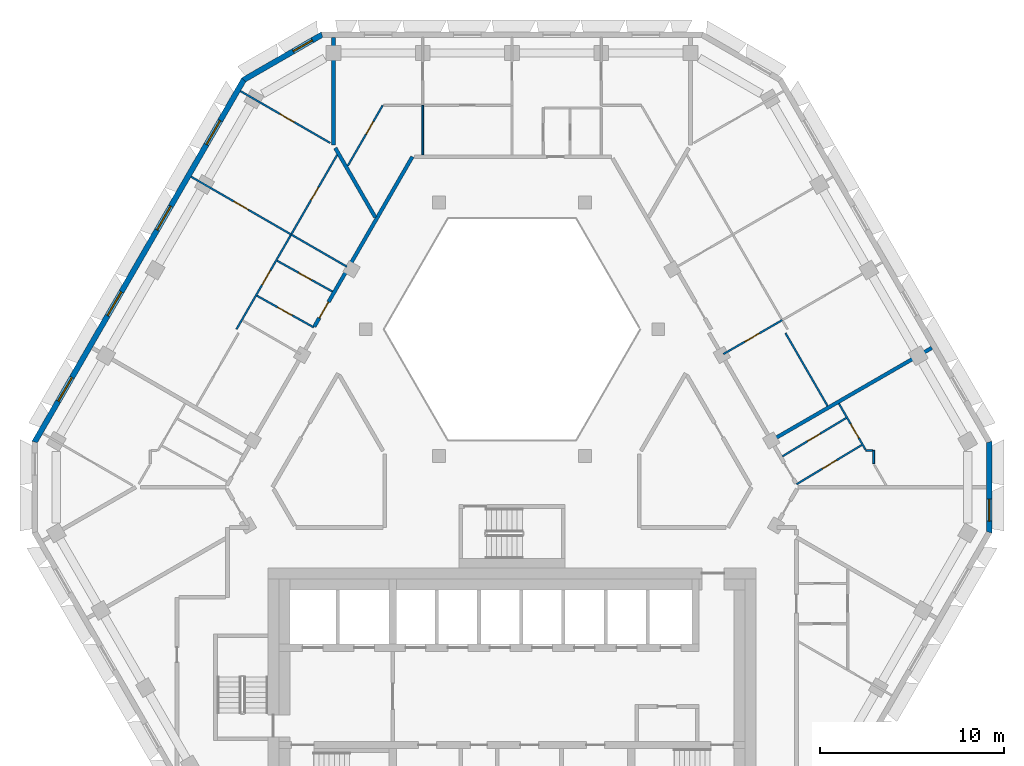
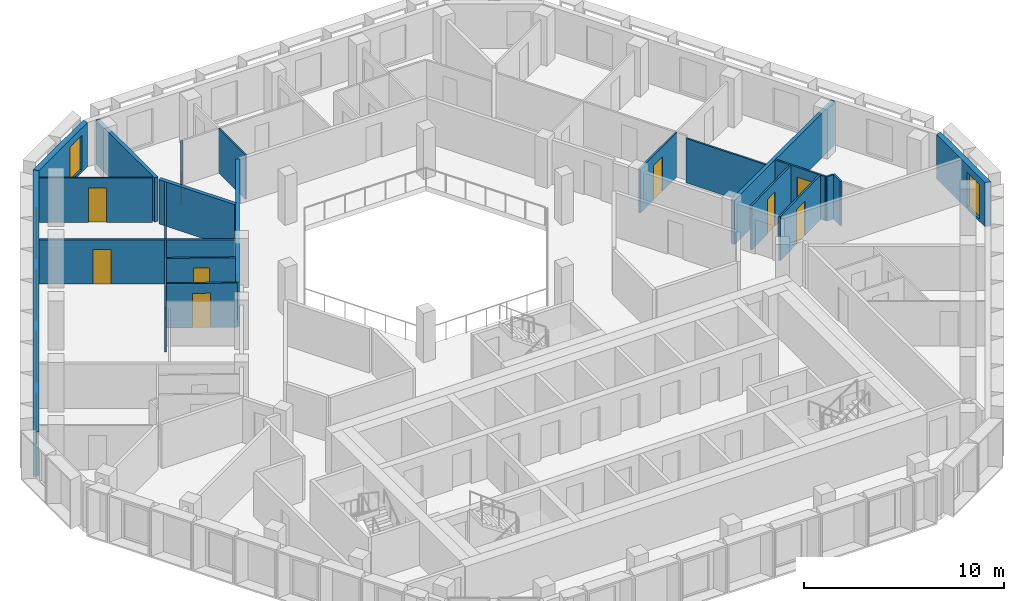
# One storey, part 6 of 15: 22 walls, 12 doors, 6 windows, 18 openings.
"""IFC4 building model written with IfcOpenShell, lengths in metres."""

from ifc_helpers import new_model, si_unit, direction, frame, frame_2d, origin, place, context, subcontext, project, spatial, polyline, rectangle, outline, extrude, material, layer, layer_set, type_object, element, fill, save


model = new_model("IFC4")

# Units and contexts
model_context = context("Model", 3, precision=1e-05, world=origin(), true_north=direction((0.0, 1.0)))
body_context = subcontext(model_context, "Body", "Model", "MODEL_VIEW")
ifc_project = project(units=[si_unit("LENGTHUNIT", "METRE"), si_unit("AREAUNIT", "SQUARE_METRE"), si_unit("VOLUMEUNIT", "CUBIC_METRE"), si_unit("PLANEANGLEUNIT", "RADIAN"), si_unit("MASSUNIT", "GRAM", prefix="KILO")], contexts=[model_context])

# Site, building, storey
site_placement = place(None, origin())
site = spatial("IfcSite", under=ifc_project, at=site_placement, CompositionType="ELEMENT")
building_placement = place(site_placement, origin())
building = spatial("IfcBuilding", under=site, at=building_placement, Name="Beryl Residences", CompositionType="ELEMENT")
storey_placement = place(building_placement, frame((0.0, 0.0, 193.199951171875)))
storey = spatial("IfcBuildingStorey", under=building, at=storey_placement, Name="L59", CompositionType="ELEMENT", Elevation=193.199951171875)

# Wall, opening, window
ifc_material_1 = material(Name="Composite metal panel with mineral wool insulation")
ifc_layer_1 = layer(ifc_material_1, 0.300048828125)
ifc_layer_set_1 = layer_set([ifc_layer_1], Name="ES1 pale metal composite panel wall 300 mm")
wall_type_1 = type_object("IfcWallType", Name="ES1 pale metal composite panel wall 300 mm", PredefinedType="SOLIDWALL", material=ifc_layer_set_1)
wall_1_placement = place(storey_placement, frame((-10.31689453125, 24.070068359375, 0.0), z_axis=(0.0, 0.0, 1.0), x_axis=(-0.866022959057, -0.500004234368, 0.0)))
wall_1 = element("IfcWall", 1, at=wall_1_placement, inside=storey, type_object=wall_type_1, Name="ES1 external wall L59 N-NW", PredefinedType="SOLIDWALL", context=body_context, shape_type="SweptSolid", body=[
    extrude(outline(polyline([(0.0, -0.14990234375), (5.0, -0.14990234375), (4.919677734375, 0.14990234375), (0.080322265625, 0.14990234375), (0.0, -0.14990234375)])), origin(), (0.0, 0.0, 1.0), 2.699951171875),
])
opening_1_placement = place(wall_1_placement, frame((0.64990234375, 0.0, 0.14990234375)))
opening_1 = element("IfcOpeningElement", 2, at=opening_1_placement, cuts=wall_1, Name="Opening W2", PredefinedType="OPENING", context=body_context, shape_type="SweptSolid", body=[
    extrude(rectangle(XDim=1.199951171875, YDim=2.10009765625, at=frame_2d((0.60009765625, 1.050048828125))), frame((0.0, 0.159912109375, 0.0), z_axis=(0.0, -1.0, 0.0), x_axis=(1.0, 0.0, 0.0)), (0.0, 0.0, 1.0), 0.320068359375),
])
ifc_material_2 = material(Name="Aluminium and clear glass", Category="aluminium")
window_type_1 = type_object("IfcWindowType", Name="W2 chamfer window 1200 x 2100 mm", PartitioningType="SINGLE_PANEL", PredefinedType="WINDOW", material=ifc_material_2)
window_1_placement = place(opening_1_placement, origin())
window_1 = element("IfcWindow", 3, at=window_1_placement, inside=storey, type_object=window_type_1, Name="W2 window L59 N-NW 1", OverallHeight=2.10009765625, OverallWidth=1.199951171875, PartitioningType="SINGLE_PANEL", PredefinedType="WINDOW", context=body_context, shape_type="SweptSolid", body=[
    extrude(rectangle(XDim=1.199951171875, YDim=2.10009765625, at=frame_2d((0.60009765625, 1.050048828125))), frame((0.0, 0.030029296875, 0.0), z_axis=(0.0, -1.0, 0.0), x_axis=(1.0, 0.0, 0.0)), (0.0, 0.0, 1.0), 0.06005859375),
])
fill(opening_1, window_1)

# Wall, openings, windows
wall_2_placement = place(storey_placement, frame((-14.592041015625, 21.625, 0.0), z_axis=(0.0, 0.0, 1.0), x_axis=(-0.500010537973, -0.866019319597, 0.0)))
wall_2 = element("IfcWall", 4, at=wall_2_placement, inside=storey, type_object=wall_type_1, Name="ES1 external wall L59 NW", PredefinedType="SOLIDWALL", context=body_context, shape_type="SweptSolid", body=[
    extrude(outline(polyline([(0.0, -0.14990234375), (22.86328125, -0.14990234375), (22.782958984375, 0.14990234375), (0.080322265625, 0.14990234375), (0.0, -0.14990234375)])), origin(), (0.0, 0.0, 1.0), 2.699951171875),
])
opening_2_placement = place(wall_2_placement, frame((2.60595703125, 0.0, 0.14990234375)))
opening_2 = element("IfcOpeningElement", 5, at=opening_2_placement, cuts=wall_2, Name="Opening W1", PredefinedType="OPENING", context=body_context, shape_type="SweptSolid", body=[
    extrude(rectangle(XDim=1.5, YDim=2.10009765625, at=frame_2d((0.75, 1.050048828125))), frame((0.0, 0.159912109375, 0.0), z_axis=(0.0, -1.0, 0.0), x_axis=(1.0, 0.0, 0.0)), (0.0, 0.0, 1.0), 0.320068359375),
])
opening_3_placement = place(wall_2_placement, frame((7.989990234375, 0.0, 0.14990234375)))
opening_3 = element("IfcOpeningElement", 6, at=opening_3_placement, cuts=wall_2, Name="Opening W1", PredefinedType="OPENING", context=body_context, shape_type="SweptSolid", body=[
    extrude(rectangle(XDim=1.5, YDim=2.10009765625, at=frame_2d((0.75, 1.050048828125))), frame((0.0, 0.159912109375, 0.0), z_axis=(0.0, -1.0, 0.0), x_axis=(1.0, 0.0, 0.0)), (0.0, 0.0, 1.0), 0.320068359375),
])
opening_4_placement = place(wall_2_placement, frame((13.373046875, 0.0, 0.14990234375)))
opening_4 = element("IfcOpeningElement", 7, at=opening_4_placement, cuts=wall_2, Name="Opening W1", PredefinedType="OPENING", context=body_context, shape_type="SweptSolid", body=[
    extrude(rectangle(XDim=1.5, YDim=2.10009765625, at=frame_2d((0.75, 1.050048828125))), frame((0.0, 0.159912109375, 0.0), z_axis=(0.0, -1.0, 0.0), x_axis=(1.0, 0.0, 0.0)), (0.0, 0.0, 1.0), 0.320068359375),
])
opening_5_placement = place(wall_2_placement, frame((18.758056640625, 0.0, 0.14990234375)))
opening_5 = element("IfcOpeningElement", 8, at=opening_5_placement, cuts=wall_2, Name="Opening W1", PredefinedType="OPENING", context=body_context, shape_type="SweptSolid", body=[
    extrude(rectangle(XDim=1.5, YDim=2.10009765625, at=frame_2d((0.75, 1.050048828125))), frame((0.0, 0.159912109375, 0.0), z_axis=(0.0, -1.0, 0.0), x_axis=(1.0, 0.0, 0.0)), (0.0, 0.0, 1.0), 0.320068359375),
])
ifc_material_3 = material(Name="Aluminium and clear glass", Category="aluminium")
window_type_2 = type_object("IfcWindowType", Name="W1 cell window 1500 x 2100 mm", PartitioningType="SINGLE_PANEL", PredefinedType="WINDOW", material=ifc_material_3)
window_2_placement = place(opening_2_placement, origin())
window_2 = element("IfcWindow", 9, at=window_2_placement, inside=storey, type_object=window_type_2, Name="W1 window L59 NW 2", OverallHeight=2.10009765625, OverallWidth=1.5, PartitioningType="SINGLE_PANEL", PredefinedType="WINDOW", context=body_context, shape_type="SweptSolid", body=[
    extrude(rectangle(XDim=1.5, YDim=2.10009765625, at=frame_2d((0.75, 1.050048828125))), frame((0.0, 0.030029296875, 0.0), z_axis=(0.0, -1.0, 0.0), x_axis=(1.0, 0.0, 0.0)), (0.0, 0.0, 1.0), 0.06005859375),
])
fill(opening_2, window_2)
window_3_placement = place(opening_3_placement, origin())
window_3 = element("IfcWindow", 10, at=window_3_placement, inside=storey, type_object=window_type_2, Name="W1 window L59 NW 4", OverallHeight=2.10009765625, OverallWidth=1.5, PartitioningType="SINGLE_PANEL", PredefinedType="WINDOW", context=body_context, shape_type="SweptSolid", body=[
    extrude(rectangle(XDim=1.5, YDim=2.10009765625, at=frame_2d((0.75, 1.050048828125))), frame((0.0, 0.030029296875, 0.0), z_axis=(0.0, -1.0, 0.0), x_axis=(1.0, 0.0, 0.0)), (0.0, 0.0, 1.0), 0.06005859375),
])
fill(opening_3, window_3)
window_4_placement = place(opening_4_placement, origin())
window_4 = element("IfcWindow", 11, at=window_4_placement, inside=storey, type_object=window_type_2, Name="W1 window L59 NW 6", OverallHeight=2.10009765625, OverallWidth=1.5, PartitioningType="SINGLE_PANEL", PredefinedType="WINDOW", context=body_context, shape_type="SweptSolid", body=[
    extrude(rectangle(XDim=1.5, YDim=2.10009765625, at=frame_2d((0.75, 1.050048828125))), frame((0.0, 0.030029296875, 0.0), z_axis=(0.0, -1.0, 0.0), x_axis=(1.0, 0.0, 0.0)), (0.0, 0.0, 1.0), 0.06005859375),
])
fill(opening_4, window_4)
window_5_placement = place(opening_5_placement, origin())
window_5 = element("IfcWindow", 12, at=window_5_placement, inside=storey, type_object=window_type_2, Name="W1 window L59 NW 8", OverallHeight=2.10009765625, OverallWidth=1.5, PartitioningType="SINGLE_PANEL", PredefinedType="WINDOW", context=body_context, shape_type="SweptSolid", body=[
    extrude(rectangle(XDim=1.5, YDim=2.10009765625, at=frame_2d((0.75, 1.050048828125))), frame((0.0, 0.030029296875, 0.0), z_axis=(0.0, -1.0, 0.0), x_axis=(1.0, 0.0, 0.0)), (0.0, 0.0, 1.0), 0.06005859375),
])
fill(opening_5, window_5)

# Wall, opening, window
wall_3_placement = place(storey_placement, frame((26.00390625, -3.10009765625, 0.0), z_axis=(0.0, 0.0, 1.0), x_axis=(0.0, 1.0, 0.0)))
wall_3 = element("IfcWall", 13, at=wall_3_placement, inside=storey, type_object=wall_type_1, Name="ES1 external wall L59 SE-NE", PredefinedType="SOLIDWALL", context=body_context, shape_type="SweptSolid", body=[
    extrude(outline(polyline([(0.0, -0.14990234375), (5.0, -0.14990234375), (4.919677734375, 0.14990234375), (0.080322265625, 0.14990234375), (0.0, -0.14990234375)])), origin(), (0.0, 0.0, 1.0), 2.699951171875),
])
opening_6_placement = place(wall_3_placement, frame((0.64990234375, 0.0, 0.14990234375)))
opening_6 = element("IfcOpeningElement", 14, at=opening_6_placement, cuts=wall_3, Name="Opening W2", PredefinedType="OPENING", context=body_context, shape_type="SweptSolid", body=[
    extrude(rectangle(XDim=1.199951171875, YDim=2.10009765625, at=frame_2d((0.60009765625, 1.050048828125))), frame((0.0, 0.159912109375, 0.0), z_axis=(0.0, -1.0, 0.0), x_axis=(1.0, 0.0, 0.0)), (0.0, 0.0, 1.0), 0.320068359375),
])
window_6_placement = place(opening_6_placement, origin())
window_6 = element("IfcWindow", 15, at=window_6_placement, inside=storey, type_object=window_type_1, Name="W2 window L59 SE-NE 1", OverallHeight=2.10009765625, OverallWidth=1.199951171875, PartitioningType="SINGLE_PANEL", PredefinedType="WINDOW", context=body_context, shape_type="SweptSolid", body=[
    extrude(rectangle(XDim=1.199951171875, YDim=2.10009765625, at=frame_2d((0.60009765625, 1.050048828125))), frame((0.0, 0.030029296875, 0.0), z_axis=(0.0, -1.0, 0.0), x_axis=(1.0, 0.0, 0.0)), (0.0, 0.0, 1.0), 0.06005859375),
])
fill(opening_6, window_6)

# Wall
ifc_material_4 = material(Name="Gypsum board partition on steel studs", Category="steel")
ifc_layer_2 = layer(ifc_material_4, 0.10009765625)
ifc_layer_set_2 = layer_set([ifc_layer_2], Name="PT1 partition 100 mm gypsum board on steel studs")
wall_type_2 = type_object("IfcWallType", Name="PT1 partition 100 mm gypsum board on steel studs", PredefinedType="PARTITIONING", material=ifc_layer_set_2)
wall_4_placement = place(storey_placement, frame((14.89501953125, 7.800048828125, 0.0), z_axis=(0.0, 0.0, 1.0), x_axis=(0.500050787847, -0.865996079421, 0.0)))
element("IfcWall", 16, at=wall_4_placement, inside=storey, type_object=wall_type_2, Name="Wall PT1 L59 002", PredefinedType="PARTITIONING", context=body_context, shape_type="SweptSolid", body=[
    extrude(rectangle(XDim=4.59130859375, YDim=0.10009765625, at=frame_2d((2.295654296875, 0.0))), origin(), (0.0, 0.0, 1.0), 2.699951171875),
])

# Wall, opening, door
wall_5_placement = place(storey_placement, frame((17.81103515625, 3.950927734375, 0.0), z_axis=(0.0, 0.0, 1.0), x_axis=(0.499976149225, -0.866039173598, 0.0)))
wall_5 = element("IfcWall", 17, at=wall_5_placement, inside=storey, type_object=wall_type_2, Name="Wall PT1 L59 004", PredefinedType="PARTITIONING", context=body_context, shape_type="SweptSolid", body=[
    extrude(rectangle(XDim=2.887939453125, YDim=0.10009765625, at=frame_2d((1.44384765625, 0.0))), origin(), (0.0, 0.0, 1.0), 2.699951171875),
])
opening_7_placement = place(wall_5_placement, frame((1.27587890625, 0.0, 0.0)))
opening_7 = element("IfcOpeningElement", 18, at=opening_7_placement, cuts=wall_5, Name="Opening D1741", PredefinedType="OPENING", context=body_context, shape_type="SweptSolid", body=[
    extrude(rectangle(XDim=0.89990234375, YDim=2.10009765625, at=frame_2d((0.449951171875, 1.050048828125))), frame((0.0, 0.06005859375, 0.0), z_axis=(0.0, -1.0, 0.0), x_axis=(1.0, 0.0, 0.0)), (0.0, 0.0, 1.0), 0.1201171875),
])
ifc_material_5 = material(Name="Timber door leaf", Category="wood")
door_type_1 = type_object("IfcDoorType", Name="D2 room door 900 x 2100 mm", OperationType="SINGLE_SWING_LEFT", PredefinedType="DOOR", material=ifc_material_5)
door_1_placement = place(opening_7_placement, origin())
door_1 = element("IfcDoor", 19, at=door_1_placement, inside=storey, type_object=door_type_1, Name="Door D1741 L59 001", OperationType="SINGLE_SWING_LEFT", OverallHeight=2.10009765625, OverallWidth=0.89990234375, PredefinedType="DOOR", context=body_context, shape_type="SweptSolid", body=[
    extrude(rectangle(XDim=0.89990234375, YDim=2.10009765625, at=frame_2d((0.449951171875, 1.050048828125))), frame((0.0, 0.02490234375, 0.0), z_axis=(0.0, -1.0, 0.0), x_axis=(1.0, 0.0, 0.0)), (0.0, 0.0, 1.0), 0.050048828125),
])
fill(opening_7, door_1)

wall_6_placement = place(storey_placement, frame((-12.798095703125, 11.735107421875, 0.0), z_axis=(0.0, 0.0, 1.0), x_axis=(0.873649600774, -0.486555623816, 0.0)))
wall_6 = element("IfcWall", 20, at=wall_6_placement, inside=storey, type_object=wall_type_2, Name="Wall PT1 L59 010", PredefinedType="PARTITIONING", context=body_context, shape_type="SweptSolid", body=[
    extrude(rectangle(XDim=3.451171875, YDim=0.10009765625, at=frame_2d((1.7255859375, 0.0))), origin(), (0.0, 0.0, 1.0), 2.699951171875),
])
opening_8_placement = place(wall_6_placement, frame((1.35009765625, 0.0, 0.0)))
opening_8 = element("IfcOpeningElement", 21, at=opening_8_placement, cuts=wall_6, Name="Opening D1718", PredefinedType="OPENING", context=body_context, shape_type="SweptSolid", body=[
    extrude(rectangle(XDim=0.800048828125, YDim=2.10009765625, at=frame_2d((0.39990234375, 1.050048828125))), frame((0.0, 0.06005859375, 0.0), z_axis=(0.0, -1.0, 0.0), x_axis=(1.0, 0.0, 0.0)), (0.0, 0.0, 1.0), 0.1201171875),
])
ifc_material_6 = material(Name="Timber door leaf", Category="wood")
door_type_2 = type_object("IfcDoorType", Name="D3 bathroom door 800 x 2100 mm", OperationType="SINGLE_SWING_LEFT", PredefinedType="DOOR", material=ifc_material_6)
door_2_placement = place(opening_8_placement, origin())
door_2 = element("IfcDoor", 22, at=door_2_placement, inside=storey, type_object=door_type_2, Name="Door D1718 L59 001", OperationType="SINGLE_SWING_RIGHT", OverallHeight=2.10009765625, OverallWidth=0.800048828125, PredefinedType="DOOR", context=body_context, shape_type="SweptSolid", body=[
    extrude(rectangle(XDim=0.800048828125, YDim=2.10009765625, at=frame_2d((0.39990234375, 1.050048828125))), frame((0.0, 0.02490234375, 0.0), z_axis=(0.0, -1.0, 0.0), x_axis=(1.0, 0.0, 0.0)), (0.0, 0.0, 1.0), 0.050048828125),
])
fill(opening_8, door_2)

wall_7_placement = place(storey_placement, frame((-13.89794921875, 9.8291015625, 0.0), z_axis=(0.0, 0.0, 1.0), x_axis=(0.873715787747, -0.486436760784, 0.0)))
wall_7 = element("IfcWall", 23, at=wall_7_placement, inside=storey, type_object=wall_type_2, Name="Wall PT1 L59 011", PredefinedType="PARTITIONING", context=body_context, shape_type="SweptSolid", body=[
    extrude(rectangle(XDim=3.55029296875, YDim=0.10009765625, at=frame_2d((1.775146484375, 0.0))), origin(), (0.0, 0.0, 1.0), 2.699951171875),
])
opening_9_placement = place(wall_7_placement, frame((1.300048828125, 0.0, 0.0)))
opening_9 = element("IfcOpeningElement", 24, at=opening_9_placement, cuts=wall_7, Name="Opening D1719", PredefinedType="OPENING", context=body_context, shape_type="SweptSolid", body=[
    extrude(rectangle(XDim=0.89990234375, YDim=2.10009765625, at=frame_2d((0.449951171875, 1.050048828125))), frame((0.0, 0.06005859375, 0.0), z_axis=(0.0, -1.0, 0.0), x_axis=(1.0, 0.0, 0.0)), (0.0, 0.0, 1.0), 0.1201171875),
])
door_3_placement = place(opening_9_placement, origin())
door_3 = element("IfcDoor", 25, at=door_3_placement, inside=storey, type_object=door_type_1, Name="Door D1719 L59 001", OperationType="SINGLE_SWING_LEFT", OverallHeight=2.10009765625, OverallWidth=0.89990234375, PredefinedType="DOOR", context=body_context, shape_type="SweptSolid", body=[
    extrude(rectangle(XDim=0.89990234375, YDim=2.10009765625, at=frame_2d((0.449951171875, 1.050048828125))), frame((0.0, 0.02490234375, 0.0), z_axis=(0.0, -1.0, 0.0), x_axis=(1.0, 0.0, 0.0)), (0.0, 0.0, 1.0), 0.050048828125),
])
fill(opening_9, door_3)

wall_8_placement = place(storey_placement, frame((-17.486083984375, 16.31298828125, 0.0), z_axis=(0.0, 0.0, 1.0), x_axis=(0.865997114097, -0.500048995975, 0.0)))
wall_8 = element("IfcWall", 26, at=wall_8_placement, inside=storey, type_object=wall_type_2, Name="Wall PT1 L59 015", PredefinedType="PARTITIONING", context=body_context, shape_type="SweptSolid", body=[
    extrude(rectangle(XDim=6.299072265625, YDim=0.10009765625, at=frame_2d((3.1494140625, 0.0))), origin(), (0.0, 0.0, 1.0), 2.699951171875),
])
opening_10_placement = place(wall_8_placement, frame((2.698974609375, 0.0, 0.0)))
opening_10 = element("IfcOpeningElement", 27, at=opening_10_placement, cuts=wall_8, Name="Opening D1721", PredefinedType="OPENING", context=body_context, shape_type="SweptSolid", body=[
    extrude(rectangle(XDim=0.89990234375, YDim=2.10009765625, at=frame_2d((0.449951171875, 1.050048828125))), frame((0.0, 0.06005859375, 0.0), z_axis=(0.0, -1.0, 0.0), x_axis=(1.0, 0.0, 0.0)), (0.0, 0.0, 1.0), 0.1201171875),
])
door_4_placement = place(opening_10_placement, origin())
door_4 = element("IfcDoor", 28, at=door_4_placement, inside=storey, type_object=door_type_1, Name="Door D1721 L59 001", OperationType="SINGLE_SWING_LEFT", OverallHeight=2.10009765625, OverallWidth=0.89990234375, PredefinedType="DOOR", context=body_context, shape_type="SweptSolid", body=[
    extrude(rectangle(XDim=0.89990234375, YDim=2.10009765625, at=frame_2d((0.449951171875, 1.050048828125))), frame((0.0, 0.02490234375, 0.0), z_axis=(0.0, -1.0, 0.0), x_axis=(1.0, 0.0, 0.0)), (0.0, 0.0, 1.0), 0.050048828125),
])
fill(opening_10, door_4)

wall_9_placement = place(storey_placement, frame((-14.7939453125, 20.97509765625, 0.0), z_axis=(0.0, 0.0, 1.0), x_axis=(0.866011447264, -0.500024172624, 0.0)))
wall_9 = element("IfcWall", 29, at=wall_9_placement, inside=storey, type_object=wall_type_2, Name="Wall PT1 L59 016", PredefinedType="PARTITIONING", context=body_context, shape_type="SweptSolid", body=[
    extrude(rectangle(XDim=5.650146484375, YDim=0.10009765625, at=frame_2d((2.8251953125, 0.0))), origin(), (0.0, 0.0, 1.0), 2.699951171875),
])
opening_11_placement = place(wall_9_placement, frame((2.47509765625, 0.0, 0.0)))
opening_11 = element("IfcOpeningElement", 30, at=opening_11_placement, cuts=wall_9, Name="Opening D1723", PredefinedType="OPENING", context=body_context, shape_type="SweptSolid", body=[
    extrude(rectangle(XDim=0.89990234375, YDim=2.10009765625, at=frame_2d((0.449951171875, 1.050048828125))), frame((0.0, 0.06005859375, 0.0), z_axis=(0.0, -1.0, 0.0), x_axis=(1.0, 0.0, 0.0)), (0.0, 0.0, 1.0), 0.1201171875),
])
door_5_placement = place(opening_11_placement, origin())
door_5 = element("IfcDoor", 31, at=door_5_placement, inside=storey, type_object=door_type_1, Name="Door D1723 L59 001", OperationType="SINGLE_SWING_LEFT", OverallHeight=2.10009765625, OverallWidth=0.89990234375, PredefinedType="DOOR", context=body_context, shape_type="SweptSolid", body=[
    extrude(rectangle(XDim=0.89990234375, YDim=2.10009765625, at=frame_2d((0.449951171875, 1.050048828125))), frame((0.0, 0.02490234375, 0.0), z_axis=(0.0, -1.0, 0.0), x_axis=(1.0, 0.0, 0.0)), (0.0, 0.0, 1.0), 0.050048828125),
])
fill(opening_11, door_5)

# Wall
wall_10_placement = place(storey_placement, frame((19.283935546875, 1.39990234375, 0.0), z_axis=(0.0, 0.0, 1.0), x_axis=(1.0, 0.0, 0.0)))
element("IfcWall", 32, at=wall_10_placement, inside=storey, type_object=wall_type_2, Name="Wall PT1 L59 020", PredefinedType="PARTITIONING", context=body_context, shape_type="SweptSolid", body=[
    extrude(rectangle(XDim=0.365966796875, YDim=0.10009765625, at=frame_2d((0.18310546875, 0.0))), origin(), (0.0, 0.0, 1.0), 2.699951171875),
])

# Wall, opening, door
wall_11_placement = place(storey_placement, frame((-8.948974609375, 16.89990234375, 0.0), z_axis=(0.0, 0.0, 1.0), x_axis=(0.499949850951, 0.866054355415, 0.0)))
wall_11 = element("IfcWall", 33, at=wall_11_placement, inside=storey, type_object=wall_type_2, Name="Wall PT1 L59 024", PredefinedType="PARTITIONING", context=body_context, shape_type="SweptSolid", body=[
    extrude(rectangle(XDim=3.810546875, YDim=0.10009765625, at=frame_2d((1.9052734375, 0.0))), origin(), (0.0, 0.0, 1.0), 2.699951171875),
])
opening_12_placement = place(wall_11_placement, frame((1.991943359375, 0.0, 0.0)))
opening_12 = element("IfcOpeningElement", 34, at=opening_12_placement, cuts=wall_11, Name="Opening D1716", PredefinedType="OPENING", context=body_context, shape_type="SweptSolid", body=[
    extrude(rectangle(XDim=0.800048828125, YDim=2.10009765625, at=frame_2d((0.39990234375, 1.050048828125))), frame((0.0, 0.06005859375, 0.0), z_axis=(0.0, -1.0, 0.0), x_axis=(1.0, 0.0, 0.0)), (0.0, 0.0, 1.0), 0.1201171875),
])
door_6_placement = place(opening_12_placement, origin())
door_6 = element("IfcDoor", 35, at=door_6_placement, inside=storey, type_object=door_type_2, Name="Door D1716 L59 001", OperationType="SINGLE_SWING_RIGHT", OverallHeight=2.10009765625, OverallWidth=0.800048828125, PredefinedType="DOOR", context=body_context, shape_type="SweptSolid", body=[
    extrude(rectangle(XDim=0.800048828125, YDim=2.10009765625, at=frame_2d((0.39990234375, 1.050048828125))), frame((0.0, 0.02490234375, 0.0), z_axis=(0.0, -1.0, 0.0), x_axis=(1.0, 0.0, 0.0)), (0.0, 0.0, 1.0), 0.050048828125),
])
fill(opening_12, door_6)

# Wall, openings, doors
wall_12_placement = place(storey_placement, frame((-15.011962890625, 8.0, 0.0), z_axis=(0.0, 0.0, 1.0), x_axis=(0.500047346826, 0.865998066356, 0.0)))
wall_12 = element("IfcWall", 36, at=wall_12_placement, inside=storey, type_object=wall_type_2, Name="Wall PT1 L59 026", PredefinedType="PARTITIONING", context=body_context, shape_type="SweptSolid", body=[
    extrude(rectangle(XDim=10.97119140625, YDim=0.10009765625, at=frame_2d((5.485595703125, 0.0))), origin(), (0.0, 0.0, 1.0), 2.699951171875),
])
opening_13_placement = place(wall_12_placement, frame((2.791015625, 0.0, 0.0)))
opening_13 = element("IfcOpeningElement", 37, at=opening_13_placement, cuts=wall_12, Name="Opening D1720", PredefinedType="OPENING", context=body_context, shape_type="SweptSolid", body=[
    extrude(rectangle(XDim=0.89990234375, YDim=2.10009765625, at=frame_2d((0.449951171875, 1.050048828125))), frame((0.0, 0.06005859375, 0.0), z_axis=(0.0, -1.0, 0.0), x_axis=(1.0, 0.0, 0.0)), (0.0, 0.0, 1.0), 0.1201171875),
])
opening_14_placement = place(wall_12_placement, frame((8.1240234375, 0.0, 0.0)))
opening_14 = element("IfcOpeningElement", 38, at=opening_14_placement, cuts=wall_12, Name="Opening D1724", PredefinedType="OPENING", context=body_context, shape_type="SweptSolid", body=[
    extrude(rectangle(XDim=0.800048828125, YDim=2.10009765625, at=frame_2d((0.39990234375, 1.050048828125))), frame((0.0, 0.06005859375, 0.0), z_axis=(0.0, -1.0, 0.0), x_axis=(1.0, 0.0, 0.0)), (0.0, 0.0, 1.0), 0.1201171875),
])
door_7_placement = place(opening_13_placement, origin())
door_7 = element("IfcDoor", 39, at=door_7_placement, inside=storey, type_object=door_type_1, Name="Door D1720 L59 001", OperationType="SINGLE_SWING_RIGHT", OverallHeight=2.10009765625, OverallWidth=0.89990234375, PredefinedType="DOOR", context=body_context, shape_type="SweptSolid", body=[
    extrude(rectangle(XDim=0.89990234375, YDim=2.10009765625, at=frame_2d((0.449951171875, 1.050048828125))), frame((0.0, 0.02490234375, 0.0), z_axis=(0.0, -1.0, 0.0), x_axis=(1.0, 0.0, 0.0)), (0.0, 0.0, 1.0), 0.050048828125),
])
fill(opening_13, door_7)
door_8_placement = place(opening_14_placement, origin())
door_8 = element("IfcDoor", 40, at=door_8_placement, inside=storey, type_object=door_type_2, Name="Door D1724 L59 001", OperationType="SINGLE_SWING_RIGHT", OverallHeight=2.10009765625, OverallWidth=0.800048828125, PredefinedType="DOOR", context=body_context, shape_type="SweptSolid", body=[
    extrude(rectangle(XDim=0.800048828125, YDim=2.10009765625, at=frame_2d((0.39990234375, 1.050048828125))), frame((0.0, 0.02490234375, 0.0), z_axis=(0.0, -1.0, 0.0), x_axis=(1.0, 0.0, 0.0)), (0.0, 0.0, 1.0), 0.050048828125),
])
fill(opening_14, door_8)

# Walls
wall_13_placement = place(storey_placement, frame((19.699951171875, 0.678955078125, 0.0), z_axis=(0.0, 0.0, 1.0), x_axis=(0.0, 1.0, 0.0)))
element("IfcWall", 41, at=wall_13_placement, inside=storey, type_object=wall_type_2, Name="Wall PT1 L59 033", PredefinedType="PARTITIONING", context=body_context, shape_type="SweptSolid", body=[
    extrude(rectangle(XDim=0.720947265625, YDim=0.10009765625, at=frame_2d((0.3603515625, 0.0))), origin(), (0.0, 0.0, 1.0), 2.699951171875),
])
wall_14_placement = place(storey_placement, frame((-4.864013671875, 17.5, 0.0), z_axis=(0.0, 0.0, 1.0), x_axis=(0.0, 1.0, 0.0)))
element("IfcWall", 42, at=wall_14_placement, inside=storey, type_object=wall_type_2, Name="Wall PT1 L59 035", PredefinedType="PARTITIONING", context=body_context, shape_type="SweptSolid", body=[
    extrude(rectangle(XDim=2.699951171875, YDim=0.10009765625, at=frame_2d((1.35009765625, 0.0))), origin(), (0.0, 0.0, 1.0), 2.699951171875),
])

# Wall, opening, door
wall_15_placement = place(storey_placement, frame((11.51806640625, 6.64990234375, 0.0), z_axis=(0.0, 0.0, 1.0), x_axis=(0.865984470368, 0.500070892056, 0.0)))
wall_15 = element("IfcWall", 43, at=wall_15_placement, inside=storey, type_object=wall_type_2, Name="Wall PT1 L59 037", PredefinedType="PARTITIONING", context=body_context, shape_type="SweptSolid", body=[
    extrude(rectangle(XDim=3.69970703125, YDim=0.10009765625, at=frame_2d((1.849853515625, 0.0))), origin(), (0.0, 0.0, 1.0), 2.699951171875),
])
opening_15_placement = place(wall_15_placement, frame((1.35009765625, 0.0, 0.0)))
opening_15 = element("IfcOpeningElement", 44, at=opening_15_placement, cuts=wall_15, Name="Opening D1703", PredefinedType="OPENING", context=body_context, shape_type="SweptSolid", body=[
    extrude(rectangle(XDim=0.89990234375, YDim=2.10009765625, at=frame_2d((0.449951171875, 1.050048828125))), frame((0.0, 0.06005859375, 0.0), z_axis=(0.0, -1.0, 0.0), x_axis=(1.0, 0.0, 0.0)), (0.0, 0.0, 1.0), 0.1201171875),
])
door_9_placement = place(opening_15_placement, origin())
door_9 = element("IfcDoor", 45, at=door_9_placement, inside=storey, type_object=door_type_1, Name="Door D1703 L59 001", OperationType="SINGLE_SWING_LEFT", OverallHeight=2.10009765625, OverallWidth=0.89990234375, PredefinedType="DOOR", context=body_context, shape_type="SweptSolid", body=[
    extrude(rectangle(XDim=0.89990234375, YDim=2.10009765625, at=frame_2d((0.449951171875, 1.050048828125))), frame((0.0, 0.02490234375, 0.0), z_axis=(0.0, -1.0, 0.0), x_axis=(1.0, 0.0, 0.0)), (0.0, 0.0, 1.0), 0.050048828125),
])
fill(opening_15, door_9)

wall_16_placement = place(storey_placement, frame((14.73388671875, 1.080078125, 0.0), z_axis=(0.0, 0.0, 1.0), x_axis=(0.857205608004, 0.514974315482, 0.0)))
wall_16 = element("IfcWall", 46, at=wall_16_placement, inside=storey, type_object=wall_type_2, Name="Wall PT1 L59 040", PredefinedType="PARTITIONING", context=body_context, shape_type="SweptSolid", body=[
    extrude(rectangle(XDim=4.050537109375, YDim=0.10009765625, at=frame_2d((2.025390625, 0.0))), origin(), (0.0, 0.0, 1.0), 2.699951171875),
])
opening_16_placement = place(wall_16_placement, frame((1.60009765625, 0.0, 0.0)))
opening_16 = element("IfcOpeningElement", 47, at=opening_16_placement, cuts=wall_16, Name="Opening D1739", PredefinedType="OPENING", context=body_context, shape_type="SweptSolid", body=[
    extrude(rectangle(XDim=0.800048828125, YDim=2.10009765625, at=frame_2d((0.39990234375, 1.050048828125))), frame((0.0, 0.06005859375, 0.0), z_axis=(0.0, -1.0, 0.0), x_axis=(1.0, 0.0, 0.0)), (0.0, 0.0, 1.0), 0.1201171875),
])
door_10_placement = place(opening_16_placement, origin())
door_10 = element("IfcDoor", 48, at=door_10_placement, inside=storey, type_object=door_type_2, Name="Door D1739 L59 001", OperationType="SINGLE_SWING_LEFT", OverallHeight=2.10009765625, OverallWidth=0.800048828125, PredefinedType="DOOR", context=body_context, shape_type="SweptSolid", body=[
    extrude(rectangle(XDim=0.800048828125, YDim=2.10009765625, at=frame_2d((0.39990234375, 1.050048828125))), frame((0.0, 0.02490234375, 0.0), z_axis=(0.0, -1.0, 0.0), x_axis=(1.0, 0.0, 0.0)), (0.0, 0.0, 1.0), 0.050048828125),
])
fill(opening_16, door_10)

wall_17_placement = place(storey_placement, frame((15.4990234375, -0.444091796875, 0.0), z_axis=(0.0, 0.0, 1.0), x_axis=(0.857061798163, 0.515213619899, 0.0)))
wall_17 = element("IfcWall", 49, at=wall_17_placement, inside=storey, type_object=wall_type_2, Name="Wall PT1 L59 041", PredefinedType="PARTITIONING", context=body_context, shape_type="SweptSolid", body=[
    extrude(rectangle(XDim=4.150146484375, YDim=0.10009765625, at=frame_2d((2.0751953125, 0.0))), origin(), (0.0, 0.0, 1.0), 2.699951171875),
])
opening_17_placement = place(wall_17_placement, frame((1.64990234375, 0.0, 0.0)))
opening_17 = element("IfcOpeningElement", 50, at=opening_17_placement, cuts=wall_17, Name="Opening D1740", PredefinedType="OPENING", context=body_context, shape_type="SweptSolid", body=[
    extrude(rectangle(XDim=0.89990234375, YDim=2.10009765625, at=frame_2d((0.449951171875, 1.050048828125))), frame((0.0, 0.06005859375, 0.0), z_axis=(0.0, -1.0, 0.0), x_axis=(1.0, 0.0, 0.0)), (0.0, 0.0, 1.0), 0.1201171875),
])
door_11_placement = place(opening_17_placement, origin())
door_11 = element("IfcDoor", 51, at=door_11_placement, inside=storey, type_object=door_type_1, Name="Door D1740 L59 001", OperationType="SINGLE_SWING_RIGHT", OverallHeight=2.10009765625, OverallWidth=0.89990234375, PredefinedType="DOOR", context=body_context, shape_type="SweptSolid", body=[
    extrude(rectangle(XDim=0.89990234375, YDim=2.10009765625, at=frame_2d((0.449951171875, 1.050048828125))), frame((0.0, 0.02490234375, 0.0), z_axis=(0.0, -1.0, 0.0), x_axis=(1.0, 0.0, 0.0)), (0.0, 0.0, 1.0), 0.050048828125),
])
fill(opening_17, door_11)

# Walls
wall_18_placement = place(storey_placement, frame((-12.031005859375, 13.1630859375, 0.0), z_axis=(0.0, 0.0, 1.0), x_axis=(0.86608920467, -0.499889477339, 0.0)))
element("IfcWall", 52, at=wall_18_placement, inside=storey, type_object=wall_type_2, Name="Wall PT1 L59 044", PredefinedType="PARTITIONING", context=body_context, shape_type="SweptSolid", body=[
    extrude(rectangle(XDim=3.500732421875, YDim=0.10009765625, at=frame_2d((1.75048828125, 0.0))), origin(), (0.0, 0.0, 1.0), 2.699951171875),
])
ifc_material_7 = material(Name="Acoustic double stud gypsum board wall")
ifc_layer_3 = layer(ifc_material_7, 0.199951171875)
ifc_layer_set_3 = layer_set([ifc_layer_3], Name="PT3 party wall 200 mm acoustic double stud")
wall_type_3 = type_object("IfcWallType", Name="PT3 party wall 200 mm acoustic double stud", PredefinedType="PARTITIONING", material=ifc_layer_set_3)
wall_19_placement = place(storey_placement, frame((-9.6279296875, 17.876953125, 0.0), z_axis=(0.0, 0.0, 1.0), x_axis=(0.499890461358, -0.866088636713, 0.0)))
element("IfcWall", 53, at=wall_19_placement, inside=storey, type_object=wall_type_3, Name="Wall PT3 L59 001", PredefinedType="PARTITIONING", context=body_context, shape_type="SweptSolid", body=[
    extrude(rectangle(XDim=4.36083984375, YDim=0.199951171875, at=frame_2d((2.180419921875, 0.0))), origin(), (0.0, 0.0, 1.0), 2.699951171875),
])
wall_20_placement = place(storey_placement, frame((-9.72802734375, 18.050048828125, 0.0), z_axis=(0.0, 0.0, 1.0), x_axis=(0.0, 1.0, 0.0)))
element("IfcWall", 54, at=wall_20_placement, inside=storey, type_object=wall_type_3, Name="Wall PT3 L59 009", PredefinedType="PARTITIONING", context=body_context, shape_type="SweptSolid", body=[
    extrude(rectangle(XDim=5.849853515625, YDim=0.199951171875, at=frame_2d((2.9248046875, 0.0))), origin(), (0.0, 0.0, 1.0), 2.699951171875),
])
wall_21_placement = place(storey_placement, frame((14.2099609375, 1.987060546875, 0.0), z_axis=(0.0, 0.0, 1.0), x_axis=(0.866022959057, 0.500004234368, 0.0)))
element("IfcWall", 55, at=wall_21_placement, inside=storey, type_object=wall_type_3, Name="Wall PT3 L59 010", PredefinedType="PARTITIONING", context=body_context, shape_type="SweptSolid", body=[
    extrude(rectangle(XDim=10.0, YDim=0.199951171875, at=frame_2d((5.0, 0.0))), origin(), (0.0, 0.0, 1.0), 2.699951171875),
])

# Wall, opening, door
ifc_material_8 = material(Name="Double stud gypsum board wall")
ifc_layer_4 = layer(ifc_material_8, 0.199951171875)
ifc_layer_set_4 = layer_set([ifc_layer_4], Name="PT4 corridor wall 200 mm double stud")
wall_type_4 = type_object("IfcWallType", Name="PT4 corridor wall 200 mm double stud", PredefinedType="PARTITIONING", material=ifc_layer_set_4)
wall_22_placement = place(storey_placement, frame((-10.77099609375, 8.14501953125, 0.0), z_axis=(0.0, 0.0, 1.0), x_axis=(0.500048075867, 0.865997645391, 0.0)))
wall_22 = element("IfcWall", 56, at=wall_22_placement, inside=storey, type_object=wall_type_4, Name="Wall PT4 L59 020", PredefinedType="PARTITIONING", context=body_context, shape_type="SweptSolid", body=[
    extrude(rectangle(XDim=10.68701171875, YDim=0.199951171875, at=frame_2d((5.343505859375, 0.0))), origin(), (0.0, 0.0, 1.0), 2.699951171875),
])
opening_18_placement = place(wall_22_placement, frame((0.549072265625, 0.0, 0.0)))
opening_18 = element("IfcOpeningElement", 57, at=opening_18_placement, cuts=wall_22, Name="Opening D1717", PredefinedType="OPENING", context=body_context, shape_type="SweptSolid", body=[
    extrude(rectangle(XDim=1.0, YDim=2.10009765625, at=frame_2d((0.5, 1.050048828125))), frame((0.0, 0.10986328125, 0.0), z_axis=(0.0, -1.0, 0.0), x_axis=(1.0, 0.0, 0.0)), (0.0, 0.0, 1.0), 0.219970703125),
])
ifc_material_9 = material(Name="Timber door leaf", Category="wood")
door_type_3 = type_object("IfcDoorType", Name="D1 flat entrance door 1000 x 2100 mm", OperationType="SINGLE_SWING_LEFT", PredefinedType="DOOR", material=ifc_material_9)
door_12_placement = place(opening_18_placement, origin())
door_12 = element("IfcDoor", 58, at=door_12_placement, inside=storey, type_object=door_type_3, Name="Door D1717 L59 001", OperationType="SINGLE_SWING_LEFT", OverallHeight=2.10009765625, OverallWidth=1.0, PredefinedType="DOOR", context=body_context, shape_type="SweptSolid", body=[
    extrude(rectangle(XDim=1.0, YDim=2.10009765625, at=frame_2d((0.5, 1.050048828125))), frame((0.0, 0.02490234375, 0.0), z_axis=(0.0, -1.0, 0.0), x_axis=(1.0, 0.0, 0.0)), (0.0, 0.0, 1.0), 0.050048828125),
])
fill(opening_18, door_12)

save(model, "model.ifc")
